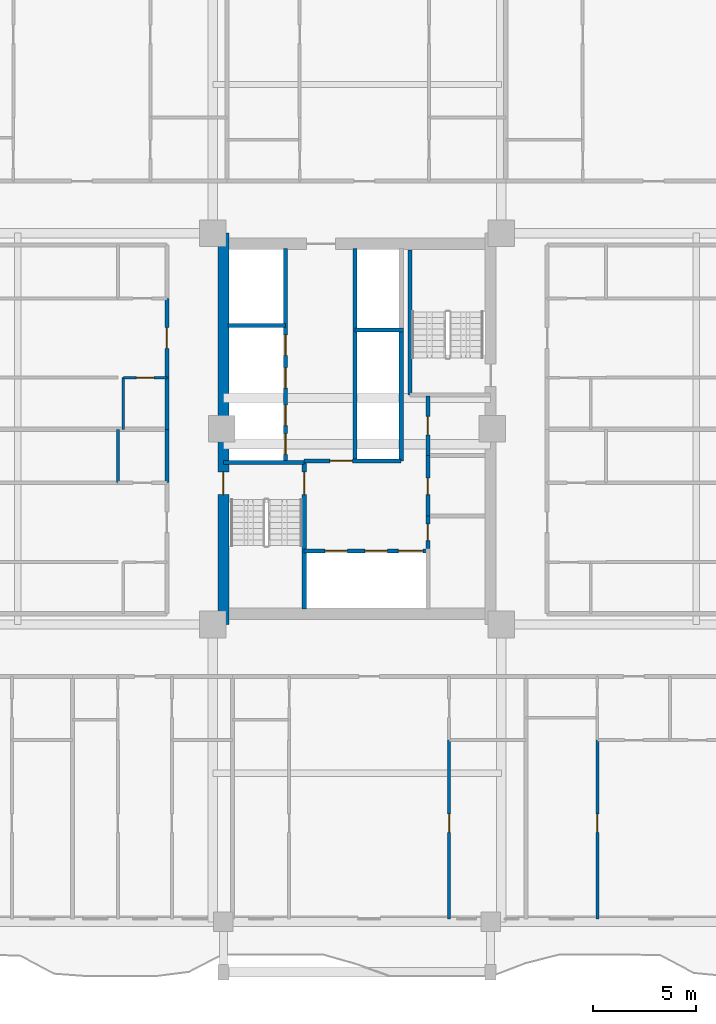
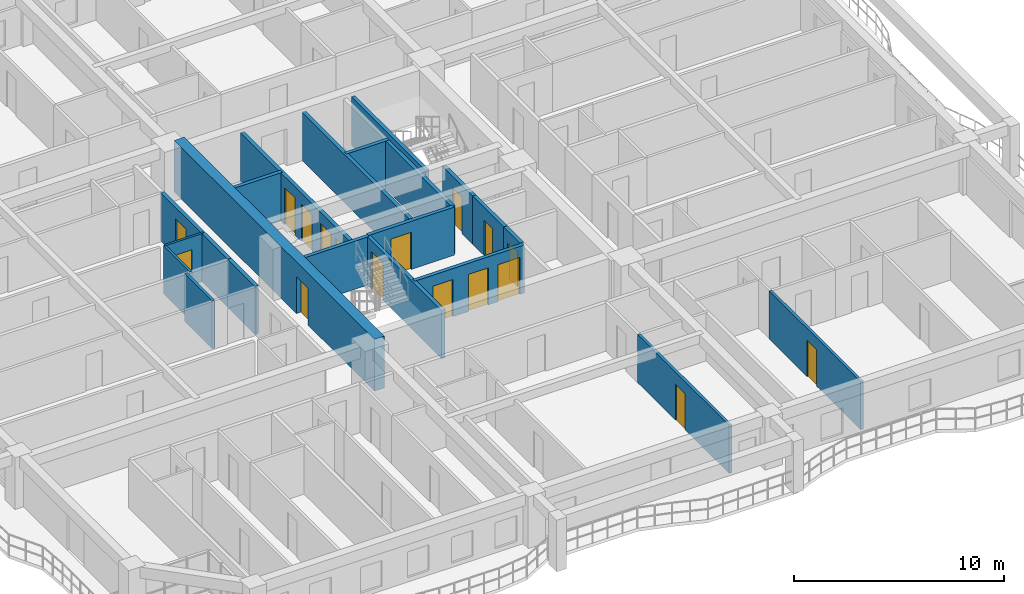
# One storey, part 16 of 25: 22 walls, 17 doors, 17 openings.
"""IFC4 building model written with IfcOpenShell, lengths in metres."""

from ifc_helpers import new_model, si_unit, direction, frame, frame_2d, origin, place, context, subcontext, project, spatial, rectangle, extrude, source, transform, mapped, material, layer, layer_set, type_object, element, fill, save


model = new_model("IFC4")

# Units and contexts
model_context = context("Model", 3, precision=1e-05, world=origin(), true_north=direction((0.0, 1.0)))
body_context = subcontext(model_context, "Body", "Model", "MODEL_VIEW")
ifc_project = project(units=[si_unit("LENGTHUNIT", "METRE"), si_unit("AREAUNIT", "SQUARE_METRE"), si_unit("VOLUMEUNIT", "CUBIC_METRE"), si_unit("PLANEANGLEUNIT", "RADIAN"), si_unit("MASSUNIT", "GRAM", prefix="KILO")], contexts=[model_context])

# Site, building, storey
site_placement = place(None, origin())
site = spatial("IfcSite", under=ifc_project, at=site_placement, CompositionType="ELEMENT")
building_placement = place(site_placement, origin())
building = spatial("IfcBuilding", under=site, at=building_placement, Name="Saelheon Loggia Tower", CompositionType="ELEMENT")
storey_placement = place(building_placement, frame((0.0, 0.0, 80.85009765625)))
storey = spatial("IfcBuildingStorey", under=building, at=storey_placement, Name="L25", CompositionType="ELEMENT", Elevation=80.85009765625)

# Wall, opening, door
ifc_material_1 = material(Name="Concrete C50/60", Category="concrete")
ifc_layer_1 = layer(ifc_material_1, 0.550048828125)
ifc_layer_set_1 = layer_set([ifc_layer_1], Name="Concrete C50/60")
wall_type_1 = type_object("IfcWallType", Name="Wall_CoreShear_550", PredefinedType="SHEAR", material=ifc_layer_set_1)
wall_1_placement = place(storey_placement, frame((31.5, 17.47998046875, 0.0), z_axis=(0.0, 0.0, 1.0), x_axis=(0.0, 1.0, 0.0)))
wall_1 = element("IfcWall", 1, at=wall_1_placement, inside=storey, type_object=wall_type_1, Name="L25 Core Shear Wall West", PredefinedType="SHEAR", context=body_context, shape_type="SweptSolid", body=[
    extrude(rectangle(XDim=19.0400390625, YDim=0.550048828125, at=frame_2d((9.52001953125, 0.0))), origin(), (0.0, 0.0, 1.0), 3.0),
])
opening_1_placement = place(wall_1_placement, frame((6.320068359375, 0.0, 0.0)))
opening_1 = element("IfcOpeningElement", 2, at=opening_1_placement, cuts=wall_1, Name="Opening D-FD2", PredefinedType="OPENING", context=body_context, shape_type="SweptSolid", body=[
    extrude(rectangle(XDim=1.10009765625, YDim=2.14990234375, at=frame_2d((0.550048828125, 1.074951171875))), frame((0.0, 0.287109375, 0.0), z_axis=(0.0, -1.0, 0.0), x_axis=(1.0, 0.0, 0.0)), (0.0, 0.0, 1.0), 0.573974609375),
])
ifc_material_2 = material(Name="Galvanised Steel Fire Door", Category="steel")
door_type_1 = type_object("IfcDoorType", Name="Door_Fire_FD60_1100", OperationType="NOTDEFINED", PredefinedType="DOOR", material=ifc_material_2)
shared_shape_1 = source(origin(), body_context, "Body", "SweptSolid", [
    extrude(rectangle(XDim=1.10009765625, YDim=2.14990234375, at=frame_2d((0.550048828125, 1.074951171875))), frame((0.0, 0.02490234375, 0.0), z_axis=(0.0, -1.0, 0.0), x_axis=(1.0, 0.0, 0.0)), (0.0, 0.0, 1.0), 0.050048828125),
])
door_1_placement = place(opening_1_placement, origin())
door_1 = element("IfcDoor", 3, at=door_1_placement, inside=storey, type_object=door_type_1, Name="L25 Stair ST1 Corridor Door", OperationType="SINGLE_SWING_LEFT", OverallHeight=2.14990234375, OverallWidth=1.10009765625, PredefinedType="DOOR", context=body_context, shape_type="MappedRepresentation", body=[
    mapped(shared_shape_1, transform((0.0, 0.0, 0.0), scale=1.0)),
])
fill(opening_1, door_1)

ifc_material_3 = material(Name="Lightweight Autoclaved Aerated Concrete Block and Acoustic Gypsum", Category="concrete")
ifc_layer_2 = layer(ifc_material_3, 0.14990234375)
ifc_layer_set_2 = layer_set([ifc_layer_2], Name="Lightweight Autoclaved Aerated Concrete Block and Acoustic Gypsum")
wall_type_2 = type_object("IfcWallType", Name="Wall_Part_150", PredefinedType="PARTITIONING", material=ifc_layer_set_2)
wall_2_placement = place(storey_placement, frame((42.47998046875, 11.85009765625, 0.0), z_axis=(0.0, 0.0, 1.0), x_axis=(0.0, -1.0, 0.0)))
wall_2 = element("IfcWall", 4, at=wall_2_placement, inside=storey, type_object=wall_type_2, Name="L25 S Partition U34", PredefinedType="PARTITIONING", context=body_context, shape_type="SweptSolid", body=[
    extrude(rectangle(XDim=8.7001953125, YDim=0.14990234375, at=frame_2d((4.35009765625, 0.0))), origin(), (0.0, 0.0, 1.0), 2.789794921875),
])
opening_2_placement = place(wall_2_placement, frame((3.594970703125, 0.0, 0.0)))
opening_2 = element("IfcOpeningElement", 5, at=opening_2_placement, cuts=wall_2, Name="Opening D-IN2", PredefinedType="OPENING", context=body_context, shape_type="SweptSolid", body=[
    extrude(rectangle(XDim=0.89990234375, YDim=2.10009765625, at=frame_2d((0.449951171875, 1.050048828125))), frame((0.0, 0.0869140625, 0.0), z_axis=(0.0, -1.0, 0.0), x_axis=(1.0, 0.0, 0.0)), (0.0, 0.0, 1.0), 0.173828125),
])
ifc_material_4 = material(Name="Engineered Oak Flush Door", Category="timber")
door_type_2 = type_object("IfcDoorType", Name="Door_Int_900", OperationType="NOTDEFINED", PredefinedType="DOOR", material=ifc_material_4)
shared_shape_2 = source(origin(), body_context, "Body", "SweptSolid", [
    extrude(rectangle(XDim=0.89990234375, YDim=2.10009765625, at=frame_2d((0.449951171875, 1.050048828125))), frame((0.0, 0.02490234375, 0.0), z_axis=(0.0, -1.0, 0.0), x_axis=(1.0, 0.0, 0.0)), (0.0, 0.0, 1.0), 0.050048828125),
])
door_2_placement = place(opening_2_placement, origin())
door_2 = element("IfcDoor", 6, at=door_2_placement, inside=storey, type_object=door_type_2, Name="Unit U03 Bedroom 1 Door", OperationType="SINGLE_SWING_LEFT", OverallHeight=2.10009765625, OverallWidth=0.89990234375, PredefinedType="DOOR", context=body_context, shape_type="MappedRepresentation", body=[
    mapped(shared_shape_2, transform((0.0, 0.0, 0.0), scale=1.0)),
])
fill(opening_2, door_2)

wall_3_placement = place(storey_placement, frame((49.70068359375, 11.85009765625, 0.0), z_axis=(0.0, 0.0, 1.0), x_axis=(0.0, -1.0, 0.0)))
wall_3 = element("IfcWall", 7, at=wall_3_placement, inside=storey, type_object=wall_type_2, Name="L25 S Partition U47", PredefinedType="PARTITIONING", context=body_context, shape_type="SweptSolid", body=[
    extrude(rectangle(XDim=8.7001953125, YDim=0.14990234375, at=frame_2d((4.35009765625, 0.0))), origin(), (0.0, 0.0, 1.0), 2.789794921875),
])
opening_3_placement = place(wall_3_placement, frame((3.594970703125, 0.0, 0.0)))
opening_3 = element("IfcOpeningElement", 8, at=opening_3_placement, cuts=wall_3, Name="Opening D-IN2", PredefinedType="OPENING", context=body_context, shape_type="SweptSolid", body=[
    extrude(rectangle(XDim=0.89990234375, YDim=2.10009765625, at=frame_2d((0.449951171875, 1.050048828125))), frame((0.0, 0.0869140625, 0.0), z_axis=(0.0, -1.0, 0.0), x_axis=(1.0, 0.0, 0.0)), (0.0, 0.0, 1.0), 0.173828125),
])
door_3_placement = place(opening_3_placement, origin())
door_3 = element("IfcDoor", 9, at=door_3_placement, inside=storey, type_object=door_type_2, Name="Unit U04 Bedroom 2 Door", OperationType="SINGLE_SWING_RIGHT", OverallHeight=2.10009765625, OverallWidth=0.89990234375, PredefinedType="DOOR", context=body_context, shape_type="MappedRepresentation", body=[
    mapped(shared_shape_2, transform((0.0, 0.0, 0.0), scale=1.0)),
])
fill(opening_3, door_3)

# Walls
wall_4_placement = place(storey_placement, frame((26.3701171875, 24.375, 0.0), z_axis=(0.0, 0.0, 1.0), x_axis=(0.0, 1.0, 0.0)))
element("IfcWall", 10, at=wall_4_placement, inside=storey, type_object=wall_type_2, Name="L25 W Partition V07", PredefinedType="PARTITIONING", context=body_context, shape_type="SweptSolid", body=[
    extrude(rectangle(XDim=2.60009765625, YDim=0.14990234375, at=frame_2d((1.300048828125, 0.0))), origin(), (0.0, 0.0, 1.0), 2.789794921875),
])
ifc_material_5 = material(Name="Double Acoustic Stud and Fireboard Partition", Category="gypsum")
ifc_layer_3 = layer(ifc_material_5, 0.199951171875)
ifc_layer_set_3 = layer_set([ifc_layer_3], Name="Double Acoustic Stud and Fireboard Partition")
wall_type_3 = type_object("IfcWallType", Name="Wall_Party_200", PredefinedType="PARTITIONING", material=ifc_layer_set_3)
wall_5_placement = place(storey_placement, frame((28.75, 24.375, 0.0), z_axis=(0.0, 0.0, 1.0), x_axis=(0.0, 1.0, 0.0)))
element("IfcWall", 11, at=wall_5_placement, inside=storey, type_object=wall_type_3, Name="L25 W Partition V05", PredefinedType="PARTITIONING", context=body_context, shape_type="SweptSolid", body=[
    extrude(rectangle(XDim=2.60009765625, YDim=0.199951171875, at=frame_2d((1.300048828125, 0.0))), origin(), (0.0, 0.0, 1.0), 2.789794921875),
])
wall_6_placement = place(storey_placement, frame((28.75, 26.97509765625, 0.0), z_axis=(0.0, 0.0, 1.0), x_axis=(0.0, 1.0, 0.0)))
element("IfcWall", 12, at=wall_6_placement, inside=storey, type_object=wall_type_3, Name="L25 W Partition V13", PredefinedType="PARTITIONING", context=body_context, shape_type="SweptSolid", body=[
    extrude(rectangle(XDim=2.512939453125, YDim=0.199951171875, at=frame_2d((1.25634765625, 0.0))), origin(), (0.0, 0.0, 1.0), 2.789794921875),
])

# Wall, opening, door
wall_7_placement = place(storey_placement, frame((28.75, 29.488037109375, 0.0), z_axis=(0.0, 0.0, 1.0), x_axis=(0.0, 1.0, 0.0)))
wall_7 = element("IfcWall", 13, at=wall_7_placement, inside=storey, type_object=wall_type_3, Name="L25 W Partition V14", PredefinedType="PARTITIONING", context=body_context, shape_type="SweptSolid", body=[
    extrude(rectangle(XDim=3.862060546875, YDim=0.199951171875, at=frame_2d((1.93115234375, 0.0))), origin(), (0.0, 0.0, 1.0), 2.789794921875),
])
opening_4_placement = place(wall_7_placement, frame((1.430908203125, 0.0, 0.0)))
opening_4 = element("IfcOpeningElement", 14, at=opening_4_placement, cuts=wall_7, Name="Opening D-FD1", PredefinedType="OPENING", context=body_context, shape_type="SweptSolid", body=[
    extrude(rectangle(XDim=1.0, YDim=2.14990234375, at=frame_2d((0.5, 1.074951171875))), frame((0.0, 0.112060546875, 0.0), z_axis=(0.0, -1.0, 0.0), x_axis=(1.0, 0.0, 0.0)), (0.0, 0.0, 1.0), 0.223876953125),
])
ifc_material_6 = material(Name="Fire-Rated Engineered Timber Entrance Door", Category="wood")
door_type_3 = type_object("IfcDoorType", Name="Door_Flat_FD30S", OperationType="NOTDEFINED", PredefinedType="DOOR", material=ifc_material_6)
shared_shape_3 = source(origin(), body_context, "Body", "SweptSolid", [
    extrude(rectangle(XDim=1.0, YDim=2.14990234375, at=frame_2d((0.5, 1.074951171875))), frame((0.0, 0.02490234375, 0.0), z_axis=(0.0, -1.0, 0.0), x_axis=(1.0, 0.0, 0.0)), (0.0, 0.0, 1.0), 0.050048828125),
])
door_4_placement = place(opening_4_placement, origin())
door_4 = element("IfcDoor", 15, at=door_4_placement, inside=storey, type_object=door_type_3, Name="Unit U09 Entrance Door", OperationType="SINGLE_SWING_RIGHT", OverallHeight=2.14990234375, OverallWidth=1.0, PredefinedType="DOOR", context=body_context, shape_type="MappedRepresentation", body=[
    mapped(shared_shape_3, transform((0.0, 0.0, 0.0), scale=1.0)),
])
fill(opening_4, door_4)

ifc_material_7 = material(Name="Concrete C40/50", Category="concrete")
ifc_layer_4 = layer(ifc_material_7, 0.199951171875)
ifc_layer_set_4 = layer_set([ifc_layer_4], Name="Concrete C40/50")
wall_type_4 = type_object("IfcWallType", Name="Wall_Shaft_200", PredefinedType="PARTITIONING", material=ifc_layer_set_4)
wall_8_placement = place(storey_placement, frame((41.449951171875, 21.179931640625, 0.0), z_axis=(0.0, 0.0, 1.0), x_axis=(0.0, 1.0, 0.0)))
wall_8 = element("IfcWall", 16, at=wall_8_placement, inside=storey, type_object=wall_type_4, Name="CW-INT-L25-BOH-W1", PredefinedType="PARTITIONING", context=body_context, shape_type="SweptSolid", body=[
    extrude(rectangle(XDim=1.570068359375, YDim=0.199951171875, at=frame_2d((0.78515625, 0.0))), origin(), (0.0, 0.0, 1.0), 2.789794921875),
])
opening_5_placement = place(wall_8_placement, frame((0.3798828125, 0.0, 0.0)))
opening_5 = element("IfcOpeningElement", 17, at=opening_5_placement, cuts=wall_8, Name="Opening D-ST1", PredefinedType="OPENING", context=body_context, shape_type="SweptSolid", body=[
    extrude(rectangle(XDim=0.800048828125, YDim=2.050048828125, at=frame_2d((0.39990234375, 1.02490234375))), frame((0.0, 0.112060546875, 0.0), z_axis=(0.0, -1.0, 0.0), x_axis=(1.0, 0.0, 0.0)), (0.0, 0.0, 1.0), 0.223876953125),
])
ifc_material_8 = material(Name="Powder-Coated Steel Store Door", Category="steel")
door_type_4 = type_object("IfcDoorType", Name="Door_Store_800", OperationType="NOTDEFINED", PredefinedType="DOOR", material=ifc_material_8)
shared_shape_4 = source(origin(), body_context, "Body", "SweptSolid", [
    extrude(rectangle(XDim=0.800048828125, YDim=2.050048828125, at=frame_2d((0.39990234375, 1.02490234375))), frame((0.0, 0.02490234375, 0.0), z_axis=(0.0, -1.0, 0.0), x_axis=(1.0, 0.0, 0.0)), (0.0, 0.0, 1.0), 0.050048828125),
])
door_5_placement = place(opening_5_placement, origin())
door_5 = element("IfcDoor", 18, at=door_5_placement, inside=storey, type_object=door_type_4, Name="L25 Cleaner Store Door", OperationType="SINGLE_SWING_RIGHT", OverallHeight=2.050048828125, OverallWidth=0.800048828125, PredefinedType="DOOR", context=body_context, shape_type="MappedRepresentation", body=[
    mapped(shared_shape_4, transform((0.0, 0.0, 0.0), scale=1.0)),
])
fill(opening_5, door_5)

wall_9_placement = place(storey_placement, frame((41.449951171875, 22.75, 0.0), z_axis=(0.0, 0.0, 1.0), x_axis=(0.0, 1.0, 0.0)))
wall_9 = element("IfcWall", 19, at=wall_9_placement, inside=storey, type_object=wall_type_4, Name="CW-INT-L25-BOH-W2", PredefinedType="PARTITIONING", context=body_context, shape_type="SweptSolid", body=[
    extrude(rectangle(XDim=2.949951171875, YDim=0.199951171875, at=frame_2d((1.47509765625, 0.0))), origin(), (0.0, 0.0, 1.0), 2.789794921875),
])
opening_6_placement = place(wall_9_placement, frame((1.050048828125, 0.0, 0.0)))
opening_6 = element("IfcOpeningElement", 20, at=opening_6_placement, cuts=wall_9, Name="Opening D-ST1", PredefinedType="OPENING", context=body_context, shape_type="SweptSolid", body=[
    extrude(rectangle(XDim=0.800048828125, YDim=2.050048828125, at=frame_2d((0.39990234375, 1.02490234375))), frame((0.0, 0.112060546875, 0.0), z_axis=(0.0, -1.0, 0.0), x_axis=(1.0, 0.0, 0.0)), (0.0, 0.0, 1.0), 0.223876953125),
])
door_6_placement = place(opening_6_placement, origin())
door_6 = element("IfcDoor", 21, at=door_6_placement, inside=storey, type_object=door_type_4, Name="L25 Electrical Riser Door", OperationType="SINGLE_SWING_LEFT", OverallHeight=2.050048828125, OverallWidth=0.800048828125, PredefinedType="DOOR", context=body_context, shape_type="MappedRepresentation", body=[
    mapped(shared_shape_4, transform((0.0, 0.0, 0.0), scale=1.0)),
])
fill(opening_6, door_6)

wall_10_placement = place(storey_placement, frame((41.449951171875, 25.699951171875, 0.0), z_axis=(0.0, 0.0, 1.0), x_axis=(0.0, 1.0, 0.0)))
wall_10 = element("IfcWall", 22, at=wall_10_placement, inside=storey, type_object=wall_type_4, Name="CW-INT-L25-BOH-W3", PredefinedType="PARTITIONING", context=body_context, shape_type="SweptSolid", body=[
    extrude(rectangle(XDim=2.900146484375, YDim=0.199951171875, at=frame_2d((1.4501953125, 0.0))), origin(), (0.0, 0.0, 1.0), 2.789794921875),
])
opening_7_placement = place(wall_10_placement, frame((1.0, 0.0, 0.0)))
opening_7 = element("IfcOpeningElement", 23, at=opening_7_placement, cuts=wall_10, Name="Opening D-RS1", PredefinedType="OPENING", context=body_context, shape_type="SweptSolid", body=[
    extrude(rectangle(XDim=0.89990234375, YDim=2.10009765625, at=frame_2d((0.449951171875, 1.050048828125))), frame((0.0, 0.112060546875, 0.0), z_axis=(0.0, -1.0, 0.0), x_axis=(1.0, 0.0, 0.0)), (0.0, 0.0, 1.0), 0.223876953125),
])
ifc_material_9 = material(Name="Galvanised Steel Riser Access Door", Category="steel")
door_type_5 = type_object("IfcDoorType", Name="Door_Riser_FD60", OperationType="NOTDEFINED", PredefinedType="DOOR", material=ifc_material_9)
door_7_placement = place(opening_7_placement, origin())
door_7 = element("IfcDoor", 24, at=door_7_placement, inside=storey, type_object=door_type_5, Name="L25 Floor IT Room Door", OperationType="SINGLE_SWING_RIGHT", OverallHeight=2.10009765625, OverallWidth=0.89990234375, PredefinedType="DOOR", context=body_context, shape_type="MappedRepresentation", body=[
    mapped(shared_shape_2, transform((0.0, 0.0, 0.0), scale=1.0)),
])
fill(opening_7, door_7)

# Wall
wall_11_placement = place(storey_placement, frame((40.14990234375, 25.43994140625, 0.0), z_axis=(0.0, 0.0, 1.0), x_axis=(0.0, 1.0, 0.0)))
element("IfcWall", 25, at=wall_11_placement, inside=storey, type_object=wall_type_4, Name="L25 Core Service Passage West Wall", PredefinedType="PARTITIONING", context=body_context, shape_type="SweptSolid", body=[
    extrude(rectangle(XDim=6.360107421875, YDim=0.199951171875, at=frame_2d((3.18017578125, 0.0))), origin(), (0.0, 0.0, 1.0), 2.789794921875),
])

# Wall, openings, doors
wall_12_placement = place(storey_placement, frame((35.429931640625, 21.06005859375, 0.0), z_axis=(0.0, 0.0, 1.0), x_axis=(1.0, 0.0, 0.0)))
wall_12 = element("IfcWall", 26, at=wall_12_placement, inside=storey, type_object=wall_type_4, Name="L25 Firefighting Lift Shaft Front Wall", PredefinedType="PARTITIONING", context=body_context, shape_type="SweptSolid", body=[
    extrude(rectangle(XDim=6.02001953125, YDim=0.199951171875, at=frame_2d((3.010009765625, 0.0))), origin(), (0.0, 0.0, 1.0), 2.789794921875),
])
opening_8_placement = place(wall_12_placement, frame((1.0, 0.0, 0.0)))
opening_8 = element("IfcOpeningElement", 27, at=opening_8_placement, cuts=wall_12, Name="Opening LD2", PredefinedType="OPENING", context=body_context, shape_type="SweptSolid", body=[
    extrude(rectangle(XDim=1.10009765625, YDim=2.14990234375, at=frame_2d((0.550048828125, 1.074951171875))), frame((0.0, 0.112060546875, 0.0), z_axis=(0.0, -1.0, 0.0), x_axis=(1.0, 0.0, 0.0)), (0.0, 0.0, 1.0), 0.223876953125),
])
opening_9_placement = place(wall_12_placement, frame((2.949951171875, 0.0, 0.0)))
opening_9 = element("IfcOpeningElement", 28, at=opening_9_placement, cuts=wall_12, Name="Opening LD2", PredefinedType="OPENING", context=body_context, shape_type="SweptSolid", body=[
    extrude(rectangle(XDim=1.10009765625, YDim=2.14990234375, at=frame_2d((0.550048828125, 1.074951171875))), frame((0.0, 0.112060546875, 0.0), z_axis=(0.0, -1.0, 0.0), x_axis=(1.0, 0.0, 0.0)), (0.0, 0.0, 1.0), 0.223876953125),
])
opening_10_placement = place(wall_12_placement, frame((4.580078125, 0.0, 0.0)))
opening_10 = element("IfcOpeningElement", 29, at=opening_10_placement, cuts=wall_12, Name="Opening LD3", PredefinedType="OPENING", context=body_context, shape_type="SweptSolid", body=[
    extrude(rectangle(XDim=1.199951171875, YDim=2.14990234375, at=frame_2d((0.60009765625, 1.074951171875))), frame((0.0, 0.112060546875, 0.0), z_axis=(0.0, -1.0, 0.0), x_axis=(1.0, 0.0, 0.0)), (0.0, 0.0, 1.0), 0.223876953125),
])
ifc_material_10 = material(Name="Firefighting Stainless Steel 316 Landing Door", Category="steel")
door_type_6 = type_object("IfcDoorType", Name="Door_Lift_LD2", OperationType="DOUBLE_DOOR_SLIDING", PredefinedType="DOOR", material=ifc_material_10)
door_8_placement = place(opening_8_placement, origin())
door_8 = element("IfcDoor", 30, at=door_8_placement, inside=storey, type_object=door_type_6, Name="L25 FF1 Landing Door", OperationType="DOUBLE_DOOR_SLIDING", OverallHeight=2.14990234375, OverallWidth=1.10009765625, PredefinedType="DOOR", context=body_context, shape_type="MappedRepresentation", body=[
    mapped(shared_shape_1, transform((0.0, 0.0, 0.0), scale=1.0)),
])
fill(opening_8, door_8)
door_9_placement = place(opening_9_placement, origin())
door_9 = element("IfcDoor", 31, at=door_9_placement, inside=storey, type_object=door_type_6, Name="L25 FF2 Landing Door", OperationType="DOUBLE_DOOR_SLIDING", OverallHeight=2.14990234375, OverallWidth=1.10009765625, PredefinedType="DOOR", context=body_context, shape_type="MappedRepresentation", body=[
    mapped(shared_shape_1, transform((0.0, 0.0, 0.0), scale=1.0)),
])
fill(opening_9, door_9)
ifc_material_11 = material(Name="Stretcher Lift Stainless Steel 304 Landing Door", Category="steel")
door_type_7 = type_object("IfcDoorType", Name="Door_Lift_LD3", OperationType="DOUBLE_DOOR_SLIDING", PredefinedType="DOOR", material=ifc_material_11)
shared_shape_5 = source(origin(), body_context, "Body", "SweptSolid", [
    extrude(rectangle(XDim=1.199951171875, YDim=2.14990234375, at=frame_2d((0.60009765625, 1.074951171875))), frame((0.0, 0.02490234375, 0.0), z_axis=(0.0, -1.0, 0.0), x_axis=(1.0, 0.0, 0.0)), (0.0, 0.0, 1.0), 0.050048828125),
])
door_10_placement = place(opening_10_placement, origin())
door_10 = element("IfcDoor", 32, at=door_10_placement, inside=storey, type_object=door_type_7, Name="L25 SV1 Landing Door", OperationType="DOUBLE_DOOR_SLIDING", OverallHeight=2.14990234375, OverallWidth=1.199951171875, PredefinedType="DOOR", context=body_context, shape_type="MappedRepresentation", body=[
    mapped(shared_shape_5, transform((0.0, 0.0, 0.0), scale=1.0)),
])
fill(opening_10, door_10)

# Wall, opening, door
wall_13_placement = place(storey_placement, frame((35.429931640625, 25.43994140625, 0.0), z_axis=(0.0, 0.0, 1.0), x_axis=(1.0, 0.0, 0.0)))
wall_13 = element("IfcWall", 33, at=wall_13_placement, inside=storey, type_object=wall_type_4, Name="L25 Firefighting Lobby Compartment Wall", PredefinedType="PARTITIONING", context=body_context, shape_type="SweptSolid", body=[
    extrude(rectangle(XDim=4.719970703125, YDim=0.199951171875, at=frame_2d((2.35986328125, 0.0))), origin(), (0.0, 0.0, 1.0), 2.789794921875),
])
opening_11_placement = place(wall_13_placement, frame((1.25, 0.0, 0.0)))
opening_11 = element("IfcOpeningElement", 34, at=opening_11_placement, cuts=wall_13, Name="Opening D-FD2", PredefinedType="OPENING", context=body_context, shape_type="SweptSolid", body=[
    extrude(rectangle(XDim=1.10009765625, YDim=2.14990234375, at=frame_2d((0.550048828125, 1.074951171875))), frame((0.0, 0.112060546875, 0.0), z_axis=(0.0, -1.0, 0.0), x_axis=(1.0, 0.0, 0.0)), (0.0, 0.0, 1.0), 0.223876953125),
])
door_11_placement = place(opening_11_placement, origin())
door_11 = element("IfcDoor", 35, at=door_11_placement, inside=storey, type_object=door_type_1, Name="L25 Firefighting Lobby Door", OperationType="SINGLE_SWING_LEFT", OverallHeight=2.14990234375, OverallWidth=1.10009765625, PredefinedType="DOOR", context=body_context, shape_type="MappedRepresentation", body=[
    mapped(shared_shape_1, transform((0.0, 0.0, 0.0), scale=1.0)),
])
fill(opening_11, door_11)

# Wall, openings, doors
wall_14_placement = place(storey_placement, frame((34.52001953125, 25.43994140625, 0.0), z_axis=(0.0, 0.0, 1.0), x_axis=(0.0, 1.0, 0.0)))
wall_14 = element("IfcWall", 36, at=wall_14_placement, inside=storey, type_object=wall_type_4, Name="L25 West Passenger Lift Bank Wall", PredefinedType="PARTITIONING", context=body_context, shape_type="SweptSolid", body=[
    extrude(rectangle(XDim=10.340087890625, YDim=0.199951171875, at=frame_2d((5.169921875, 0.0))), origin(), (0.0, 0.0, 1.0), 2.789794921875),
])
opening_12_placement = place(wall_14_placement, frame((0.320068359375, 0.0, 0.0)))
opening_12 = element("IfcOpeningElement", 37, at=opening_12_placement, cuts=wall_14, Name="Opening LD1", PredefinedType="OPENING", context=body_context, shape_type="SweptSolid", body=[
    extrude(rectangle(XDim=1.0, YDim=2.14990234375, at=frame_2d((0.5, 1.074951171875))), frame((0.0, 0.112060546875, 0.0), z_axis=(0.0, -1.0, 0.0), x_axis=(1.0, 0.0, 0.0)), (0.0, 0.0, 1.0), 0.223876953125),
])
opening_13_placement = place(wall_14_placement, frame((1.7099609375, 0.0, 0.0)))
opening_13 = element("IfcOpeningElement", 38, at=opening_13_placement, cuts=wall_14, Name="Opening LD1", PredefinedType="OPENING", context=body_context, shape_type="SweptSolid", body=[
    extrude(rectangle(XDim=1.0, YDim=2.14990234375, at=frame_2d((0.5, 1.074951171875))), frame((0.0, 0.112060546875, 0.0), z_axis=(0.0, -1.0, 0.0), x_axis=(1.0, 0.0, 0.0)), (0.0, 0.0, 1.0), 0.223876953125),
])
opening_14_placement = place(wall_14_placement, frame((3.534912109375, 0.0, 0.0)))
opening_14 = element("IfcOpeningElement", 39, at=opening_14_placement, cuts=wall_14, Name="Opening LD1", PredefinedType="OPENING", context=body_context, shape_type="SweptSolid", body=[
    extrude(rectangle(XDim=1.0, YDim=2.14990234375, at=frame_2d((0.5, 1.074951171875))), frame((0.0, 0.112060546875, 0.0), z_axis=(0.0, -1.0, 0.0), x_axis=(1.0, 0.0, 0.0)), (0.0, 0.0, 1.0), 0.223876953125),
])
opening_15_placement = place(wall_14_placement, frame((5.135009765625, 0.0, 0.0)))
opening_15 = element("IfcOpeningElement", 40, at=opening_15_placement, cuts=wall_14, Name="Opening LD1", PredefinedType="OPENING", context=body_context, shape_type="SweptSolid", body=[
    extrude(rectangle(XDim=1.0, YDim=2.14990234375, at=frame_2d((0.5, 1.074951171875))), frame((0.0, 0.112060546875, 0.0), z_axis=(0.0, -1.0, 0.0), x_axis=(1.0, 0.0, 0.0)), (0.0, 0.0, 1.0), 0.223876953125),
])
ifc_material_12 = material(Name="Brushed Stainless Steel 304 Landing Door", Category="steel")
door_type_8 = type_object("IfcDoorType", Name="Door_Lift_LD1", OperationType="DOUBLE_DOOR_SLIDING", PredefinedType="DOOR", material=ifc_material_12)
door_12_placement = place(opening_12_placement, origin())
door_12 = element("IfcDoor", 41, at=door_12_placement, inside=storey, type_object=door_type_8, Name="L25 PL1 Landing Door", OperationType="DOUBLE_DOOR_SLIDING", OverallHeight=2.14990234375, OverallWidth=1.0, PredefinedType="DOOR", context=body_context, shape_type="MappedRepresentation", body=[
    mapped(shared_shape_3, transform((0.0, 0.0, 0.0), scale=1.0)),
])
fill(opening_12, door_12)
door_13_placement = place(opening_13_placement, origin())
door_13 = element("IfcDoor", 42, at=door_13_placement, inside=storey, type_object=door_type_8, Name="L25 PL2 Landing Door", OperationType="DOUBLE_DOOR_SLIDING", OverallHeight=2.14990234375, OverallWidth=1.0, PredefinedType="DOOR", context=body_context, shape_type="MappedRepresentation", body=[
    mapped(shared_shape_3, transform((0.0, 0.0, 0.0), scale=1.0)),
])
fill(opening_13, door_13)
door_14_placement = place(opening_14_placement, origin())
door_14 = element("IfcDoor", 43, at=door_14_placement, inside=storey, type_object=door_type_8, Name="L25 PL3 Landing Door", OperationType="DOUBLE_DOOR_SLIDING", OverallHeight=2.14990234375, OverallWidth=1.0, PredefinedType="DOOR", context=body_context, shape_type="MappedRepresentation", body=[
    mapped(shared_shape_3, transform((0.0, 0.0, 0.0), scale=1.0)),
])
fill(opening_14, door_14)
door_15_placement = place(opening_15_placement, origin())
door_15 = element("IfcDoor", 44, at=door_15_placement, inside=storey, type_object=door_type_8, Name="L25 PL4 Landing Door", OperationType="DOUBLE_DOOR_SLIDING", OverallHeight=2.14990234375, OverallWidth=1.0, PredefinedType="DOOR", context=body_context, shape_type="MappedRepresentation", body=[
    mapped(shared_shape_3, transform((0.0, 0.0, 0.0), scale=1.0)),
])
fill(opening_15, door_15)

# Walls
wall_15_placement = place(storey_placement, frame((31.719970703125, 32.02001953125, 0.0), z_axis=(0.0, 0.0, 1.0), x_axis=(1.0, 0.0, 0.0)))
element("IfcWall", 45, at=wall_15_placement, inside=storey, type_object=wall_type_4, Name="L25 West High-Rise Shaft Divider", PredefinedType="PARTITIONING", context=body_context, shape_type="SweptSolid", body=[
    extrude(rectangle(XDim=2.800048828125, YDim=0.199951171875, at=frame_2d((1.39990234375, 0.0))), origin(), (0.0, 0.0, 1.0), 2.789794921875),
])
wall_16_placement = place(storey_placement, frame((37.89990234375, 25.43994140625, 0.0), z_axis=(0.0, 0.0, 1.0), x_axis=(0.0, 1.0, 0.0)))
element("IfcWall", 46, at=wall_16_placement, inside=storey, type_object=wall_type_4, Name="L25 East Passenger Lift Bank Wall", PredefinedType="PARTITIONING", context=body_context, shape_type="SweptSolid", body=[
    extrude(rectangle(XDim=10.340087890625, YDim=0.199951171875, at=frame_2d((5.169921875, 0.0))), origin(), (0.0, 0.0, 1.0), 2.789794921875),
])
wall_17_placement = place(storey_placement, frame((37.89990234375, 31.800048828125, 0.0), z_axis=(0.0, 0.0, 1.0), x_axis=(1.0, 0.0, 0.0)))
element("IfcWall", 47, at=wall_17_placement, inside=storey, type_object=wall_type_4, Name="L25 East High-Rise Shaft Divider", PredefinedType="PARTITIONING", context=body_context, shape_type="SweptSolid", body=[
    extrude(rectangle(XDim=2.35009765625, YDim=0.199951171875, at=frame_2d((1.175048828125, 0.0))), origin(), (0.0, 0.0, 1.0), 2.789794921875),
])

# Wall, opening, door
ifc_material_13 = material(Name="Concrete C45/55", Category="concrete")
ifc_layer_5 = layer(ifc_material_13, 0.199951171875)
ifc_layer_set_5 = layer_set([ifc_layer_5], Name="Concrete C45/55")
wall_type_5 = type_object("IfcWallType", Name="Wall_StairShaft_RC200", PredefinedType="SOLIDWALL", material=ifc_layer_set_5)
wall_18_placement = place(storey_placement, frame((35.429931640625, 18.219970703125, 0.0), z_axis=(0.0, 0.0, 1.0), x_axis=(0.0, 1.0, 0.0)))
wall_18 = element("IfcWall", 48, at=wall_18_placement, inside=storey, type_object=wall_type_5, Name="L25 Stair ST1 Shaft Wall", PredefinedType="SOLIDWALL", context=body_context, shape_type="SweptSolid", body=[
    extrude(rectangle(XDim=7.219970703125, YDim=0.199951171875, at=frame_2d((3.60986328125, 0.0))), origin(), (0.0, 0.0, 1.0), 2.789794921875),
])
opening_16_placement = place(wall_18_placement, frame((6.68017578125, 0.0, 0.0), z_axis=(0.0, 0.0, 1.0), x_axis=(-1.0, 0.0, 0.0)))
opening_16 = element("IfcOpeningElement", 49, at=opening_16_placement, cuts=wall_18, Name="Opening D-FD2", PredefinedType="OPENING", context=body_context, shape_type="SweptSolid", body=[
    extrude(rectangle(XDim=1.10009765625, YDim=2.14990234375, at=frame_2d((0.550048828125, 1.074951171875))), frame((0.0, 0.112060546875, 0.0), z_axis=(0.0, -1.0, 0.0), x_axis=(1.0, 0.0, 0.0)), (0.0, 0.0, 1.0), 0.223876953125),
])
door_16_placement = place(opening_16_placement, origin())
door_16 = element("IfcDoor", 50, at=door_16_placement, inside=storey, type_object=door_type_1, Name="L25 Stair ST1 Lobby Door", OperationType="SINGLE_SWING_RIGHT", OverallHeight=2.14990234375, OverallWidth=1.10009765625, PredefinedType="DOOR", context=body_context, shape_type="MappedRepresentation", body=[
    mapped(shared_shape_1, transform((0.0, 0.0, 0.0), scale=1.0)),
])
fill(opening_16, door_16)

# Walls
wall_19_placement = place(storey_placement, frame((31.5, 25.35009765625, 0.0), z_axis=(0.0, 0.0, 1.0), x_axis=(1.0, 0.0, 0.0)))
element("IfcWall", 51, at=wall_19_placement, inside=storey, type_object=wall_type_5, Name="L25 Stair ST1 North Wall", PredefinedType="SOLIDWALL", context=body_context, shape_type="SweptSolid", body=[
    extrude(rectangle(XDim=3.929931640625, YDim=0.199951171875, at=frame_2d((1.96484375, 0.0))), origin(), (0.0, 0.0, 1.0), 2.789794921875),
])
wall_20_placement = place(storey_placement, frame((40.570068359375, 28.64990234375, 0.0), z_axis=(0.0, 0.0, 1.0), x_axis=(0.0, 1.0, 0.0)))
element("IfcWall", 52, at=wall_20_placement, inside=storey, type_object=wall_type_5, Name="L25 Stair ST2 Shaft Wall", PredefinedType="SOLIDWALL", context=body_context, shape_type="SweptSolid", body=[
    extrude(rectangle(XDim=7.050048828125, YDim=0.199951171875, at=frame_2d((3.52490234375, 0.0))), origin(), (0.0, 0.0, 1.0), 2.789794921875),
])
ifc_material_14 = material(Name="Moisture-Resistant Cement Board Partition", Category="gypsum")
ifc_layer_6 = layer(ifc_material_14, 0.1201171875)
ifc_layer_set_6 = layer_set([ifc_layer_6], Name="Moisture-Resistant Cement Board Partition")
wall_type_6 = type_object("IfcWallType", Name="Wall_WetPart_120", PredefinedType="PARTITIONING", material=ifc_layer_set_6)
wall_21_placement = place(storey_placement, frame((26.6298828125, 26.97509765625, 0.0), z_axis=(0.0, 0.0, 1.0), x_axis=(0.0, 1.0, 0.0)))
element("IfcWall", 53, at=wall_21_placement, inside=storey, type_object=wall_type_6, Name="L25 W Partition V16", PredefinedType="PARTITIONING", context=body_context, shape_type="SweptSolid", body=[
    extrude(rectangle(XDim=2.512939453125, YDim=0.1201171875, at=frame_2d((1.25634765625, 0.0))), origin(), (0.0, 0.0, 1.0), 2.789794921875),
])

# Wall, opening, door
wall_22_placement = place(storey_placement, frame((28.75, 29.488037109375, 0.0), z_axis=(0.0, 0.0, 1.0), x_axis=(-1.0, 0.0, 0.0)))
wall_22 = element("IfcWall", 54, at=wall_22_placement, inside=storey, type_object=wall_type_6, Name="L25 W Partition U18", PredefinedType="PARTITIONING", context=body_context, shape_type="SweptSolid", body=[
    extrude(rectangle(XDim=2.1201171875, YDim=0.1201171875, at=frame_2d((1.06005859375, 0.0))), origin(), (0.0, 0.0, 1.0), 2.789794921875),
])
opening_17_placement = place(wall_22_placement, frame((0.635009765625, 0.0, 0.0)))
opening_17 = element("IfcOpeningElement", 55, at=opening_17_placement, cuts=wall_22, Name="Opening D-BT1", PredefinedType="OPENING", context=body_context, shape_type="SweptSolid", body=[
    extrude(rectangle(XDim=0.85009765625, YDim=2.050048828125, at=frame_2d((0.425048828125, 1.02490234375))), frame((0.0, 0.072021484375, 0.0), z_axis=(0.0, -1.0, 0.0), x_axis=(1.0, 0.0, 0.0)), (0.0, 0.0, 1.0), 0.14404296875),
])
ifc_material_15 = material(Name="Moisture-Resistant Laminate Timber Door", Category="wood")
door_type_9 = type_object("IfcDoorType", Name="Door_Bath_850", OperationType="NOTDEFINED", PredefinedType="DOOR", material=ifc_material_15)
shared_shape_6 = source(origin(), body_context, "Body", "SweptSolid", [
    extrude(rectangle(XDim=0.85009765625, YDim=2.050048828125, at=frame_2d((0.425048828125, 1.02490234375))), frame((0.0, 0.02490234375, 0.0), z_axis=(0.0, -1.0, 0.0), x_axis=(1.0, 0.0, 0.0)), (0.0, 0.0, 1.0), 0.050048828125),
])
door_17_placement = place(opening_17_placement, origin())
door_17 = element("IfcDoor", 56, at=door_17_placement, inside=storey, type_object=door_type_9, Name="Unit U09 Bathroom Door", OperationType="SINGLE_SWING_LEFT", OverallHeight=2.050048828125, OverallWidth=0.85009765625, PredefinedType="DOOR", context=body_context, shape_type="MappedRepresentation", body=[
    mapped(shared_shape_6, transform((0.0, 0.0, 0.0), scale=1.0)),
])
fill(opening_17, door_17)

save(model, "model.ifc")
